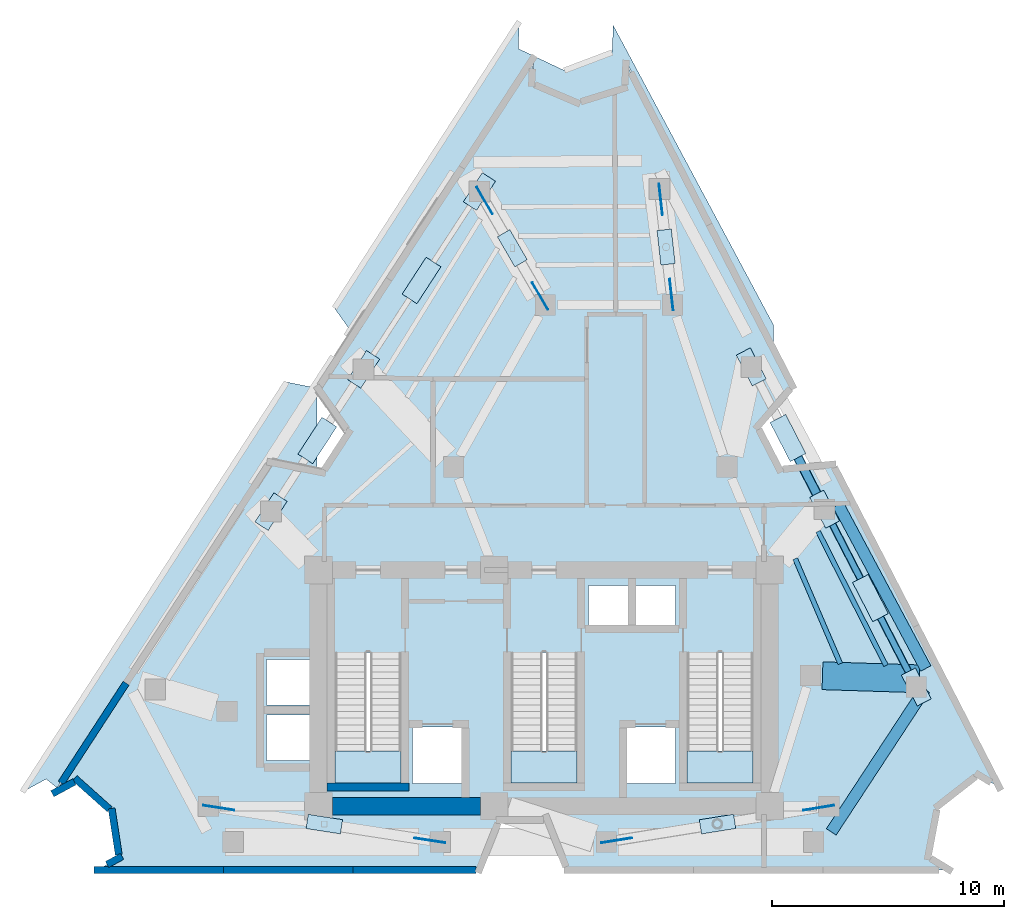
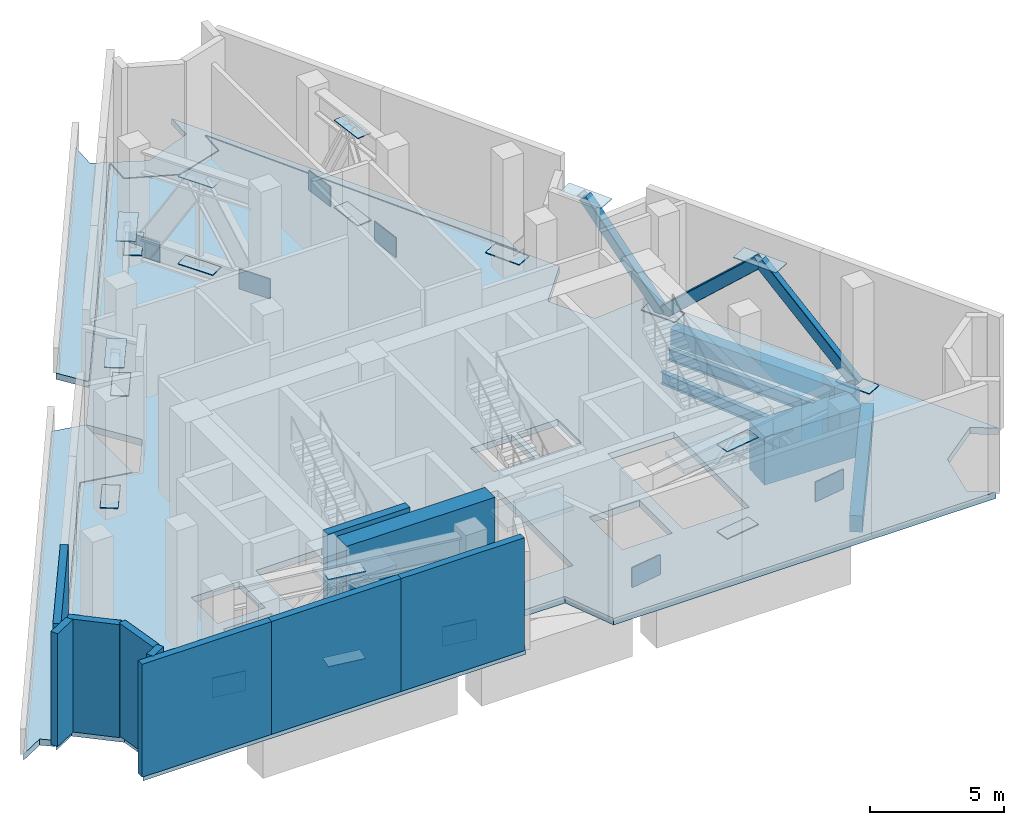
# One storey, part 4 of 8: 26 plates, 10 walls, 6 slabs, 5 beams, 3 members, 3 elements without a shape of their own.
"""IFC4 building model written with IfcOpenShell, lengths in metres."""

import ifcopenshell
import ifcopenshell.guid

model = None  # the IFC model being written
_history = None  # IfcOwnerHistory: only IFC2X3 demands one
_inside = {}  # id of a spatial element -> (the spatial element, [elements in it])
_under = {}  # id of a project, library or spatial element -> (it, [spatial elements below it])
_declared = {}  # id of a project -> (the project, [libraries it declares])
_typed = {}  # id of a type object -> (the type object, [elements of that type])
_made_of = {}  # id of a material, layer set ... -> (it, [elements and type objects made of it])


def new_model(schema):
    """Start an empty IFC model of exactly this schema.

    Asked for "IFC4X3", IfcOpenShell would pick the latest addendum, in which some entities
    have other attributes; the version numbers below select the first issue.
    IFC2X3 requires an IfcOwnerHistory on every rooted entity: one is made here for all.
    """
    global model, _history
    if schema == "IFC4X3":
        model = ifcopenshell.file(schema_version=(4, 3, 0, 0))
    else:
        model = ifcopenshell.file(schema=schema)
    _inside.clear()
    _under.clear()
    _declared.clear()
    _typed.clear()
    _made_of.clear()
    _history = None
    if model.schema == "IFC2X3":
        org = make("IfcOrganization", Name="unknown")
        user = make(
            "IfcPersonAndOrganization",
            ThePerson=make("IfcPerson", FamilyName="unknown"),
            TheOrganization=org,
        )
        app = make(
            "IfcApplication",
            ApplicationDeveloper=org,
            Version="unknown",
            ApplicationFullName="unknown",
            ApplicationIdentifier="unknown",
        )
        _history = make(
            "IfcOwnerHistory",
            OwningUser=user,
            OwningApplication=app,
            ChangeAction="ADDED",
            CreationDate=0,
        )
    return model


def make(cls, **values):
    """One entity of the class cls with the attributes given. An attribute that is None is left unset."""
    return model.create_entity(
        cls, **{name: value for name, value in values.items() if value is not None}
    )


def rooted(cls, **values):
    """An entity with a GlobalId (a new one), such as an element, a storey or a relation."""
    return make(cls, GlobalId=ifcopenshell.guid.new(), OwnerHistory=_history, **values)


def si_unit(unit_type, name, prefix=None):
    """IfcSIUnit, for example si_unit("LENGTHUNIT", "METRE", prefix="MILLI")."""
    return make("IfcSIUnit", UnitType=unit_type, Prefix=prefix, Name=name)


def assignment(units):
    """IfcUnitAssignment: the units of a project."""
    return None if units is None else make("IfcUnitAssignment", Units=units)


def point(xyz):
    """IfcCartesianPoint."""
    return None if xyz is None else make("IfcCartesianPoint", Coordinates=xyz)


def direction(xyz):
    """IfcDirection."""
    return None if xyz is None else make("IfcDirection", DirectionRatios=xyz)


def frame(location, z_axis=None, x_axis=None):
    """IfcAxis2Placement3D, a coordinate frame: its origin and axes. An axis left out is left unset."""
    return make(
        "IfcAxis2Placement3D",
        Location=point(location),
        Axis=direction(z_axis),
        RefDirection=direction(x_axis),
    )


def frame_2d(location, x_axis=None):
    """IfcAxis2Placement2D, a coordinate frame in the plane: its origin and x axis."""
    return make(
        "IfcAxis2Placement2D", Location=point(location), RefDirection=direction(x_axis)
    )


def origin():
    """The frame at (0, 0, 0) with its axes left unset."""
    return frame((0.0, 0.0, 0.0))


def origin_2d():
    """The frame at (0, 0) in the plane with its x axis left unset."""
    return frame_2d((0.0, 0.0))


def place(relative_to, where):
    """IfcLocalPlacement: puts the frame where relative to a parent placement (None: the world)."""
    return make(
        "IfcLocalPlacement", PlacementRelTo=relative_to, RelativePlacement=where
    )


def context(
    kind, dimensions, precision=None, world=None, true_north=None, identifier=None
):
    """IfcGeometricRepresentationContext, for example the 3D "Model" context."""
    return make(
        "IfcGeometricRepresentationContext",
        ContextIdentifier=identifier,
        ContextType=kind,
        CoordinateSpaceDimension=dimensions,
        Precision=precision,
        WorldCoordinateSystem=world,
        TrueNorth=true_north,
    )


def subcontext(parent, identifier, kind, view, scale=None):
    """IfcGeometricRepresentationSubContext, for example "Body" below "Model"."""
    return make(
        "IfcGeometricRepresentationSubContext",
        ContextIdentifier=identifier,
        ContextType=kind,
        ParentContext=parent,
        TargetScale=scale,
        TargetView=view,
    )


def project(units=None, contexts=None):
    """IfcProject with its units and contexts."""
    return rooted(
        "IfcProject",
        Name="project",
        RepresentationContexts=contexts,
        UnitsInContext=assignment(units),
    )


def spatial(cls, under=None, at=None, **own):
    """A site, building, storey or space (cls), placed at a placement, below another one or the project."""
    s = rooted(cls, ObjectPlacement=at, **own)
    if under is not None:
        _under.setdefault(under.id(), (under, []))[1].append(s)
    return s


def polyline(points):
    """IfcPolyline through the points."""
    return make("IfcPolyline", Points=[point(p) for p in points])


def profile(cls, at=None, kind="AREA", **sizes):
    """A parametric profile (cls). Its sizes go by their IFC names, for example OverallWidth=200.0."""
    return make(cls, ProfileType=kind, Position=at, **sizes)


def rectangle(**sizes):
    """IfcRectangleProfileDef."""
    return profile("IfcRectangleProfileDef", **sizes)


def hollow_rectangle(**sizes):
    """IfcRectangleHollowProfileDef."""
    return profile("IfcRectangleHollowProfileDef", **sizes)


def i_section(**sizes):
    """IfcIShapeProfileDef."""
    return profile("IfcIShapeProfileDef", **sizes)


def outline(outer, holes=None, kind="AREA"):
    """IfcArbitraryClosedProfileDef: a profile drawn as a closed curve; with holes, ...WithVoids."""
    if holes is None:
        return make("IfcArbitraryClosedProfileDef", ProfileType=kind, OuterCurve=outer)
    return make(
        "IfcArbitraryProfileDefWithVoids",
        ProfileType=kind,
        OuterCurve=outer,
        InnerCurves=holes,
    )


def extrude(swept, where, along, depth):
    """IfcExtrudedAreaSolid: the profile swept, set in the frame where, extruded along a direction by depth."""
    return make(
        "IfcExtrudedAreaSolid",
        SweptArea=swept,
        Position=where,
        ExtrudedDirection=direction(along),
        Depth=depth,
    )


def shape(context_of_items, identifier, shape_type, items):
    """IfcShapeRepresentation: the items that make up one representation, for example the "Body"."""
    return make(
        "IfcShapeRepresentation",
        ContextOfItems=context_of_items,
        RepresentationIdentifier=identifier,
        RepresentationType=shape_type,
        Items=items,
    )


def material(Name=None, Category=None):
    """IfcMaterial."""
    return make("IfcMaterial", Name=Name, Category=Category)


def layer(
    of_material, thickness, ventilated=None, Name=None, Category=None, Priority=None
):
    """IfcMaterialLayer: one layer of a wall or slab, of a material (None: an air gap)."""
    return make(
        "IfcMaterialLayer",
        Material=of_material,
        LayerThickness=thickness,
        IsVentilated=ventilated,
        Name=Name,
        Category=Category,
        Priority=Priority,
    )


def layer_set(layers, Name=None):
    """IfcMaterialLayerSet."""
    return make("IfcMaterialLayerSet", MaterialLayers=layers, LayerSetName=Name)


def material_profile(
    of_material, cross_section, Name=None, Category=None, Priority=None
):
    """IfcMaterialProfile: a cross section and its material."""
    return make(
        "IfcMaterialProfile",
        Name=Name,
        Material=of_material,
        Profile=cross_section,
        Priority=Priority,
        Category=Category,
    )


def profile_set(profiles, Name=None, composite=None):
    """IfcMaterialProfileSet."""
    return make(
        "IfcMaterialProfileSet",
        Name=Name,
        MaterialProfiles=profiles,
        CompositeProfile=composite,
    )


def made_of(thing, what):
    """Note that an element or type object is made of a material, layer set ...; save() writes the relation."""
    if what is not None:
        _made_of.setdefault(what.id(), (what, []))[1].append(thing)
    return thing


def type_object(cls, material=None, **own):
    """A type object (cls), such as IfcWallType, which elements share."""
    return made_of(rooted(cls, **own), material)


def element(
    cls,
    number,
    at=None,
    inside=None,
    cuts=None,
    type_object=None,
    material=None,
    context=None,
    identifier="Body",
    shape_type=None,
    held_by="IfcProductDefinitionShape",
    body=None,
    shapes=None,
    **own,
):
    """One element of the class cls, such as IfcWall. Its Tag is "e" and its number.

    at: its placement. inside: the storey or other place that contains it. cuts: it is an
    opening in that element (IfcRelVoidsElement). A single representation is given by context,
    identifier, shape_type and body (its items); several are given by shapes. held_by: the class
    of the entity that holds the representations. save() writes the other relations.
    """
    e = rooted(cls, Tag="e%d" % number, ObjectPlacement=at, **own)
    if body is not None:
        shapes = [shape(context, identifier, shape_type, body)]
    if shapes is not None:
        e.Representation = make(held_by, Representations=shapes)
    if inside is not None:
        _inside.setdefault(inside.id(), (inside, []))[1].append(e)
    if cuts is not None:
        rooted(
            "IfcRelVoidsElement", RelatingBuildingElement=cuts, RelatedOpeningElement=e
        )
    if type_object is not None:
        _typed.setdefault(type_object.id(), (type_object, []))[1].append(e)
    return made_of(e, material)


def aggregate(whole, parts):
    """IfcRelAggregates: a whole, such as a stair, and the parts it consists of."""
    return rooted("IfcRelAggregates", RelatingObject=whole, RelatedObjects=parts)


def save(model, path):
    """Write the relations noted so far, then the file.

    IfcRelAggregates (storeys below a building ...), IfcRelContainedInSpatialStructure (elements
    in a storey), IfcRelDefinesByType, IfcRelAssociatesMaterial and IfcRelDeclares: one each for
    every whole, place, type object, material and project.
    """
    for whole, parts in _under.values():
        aggregate(whole, parts)
    for where, things in _inside.values():
        rooted(
            "IfcRelContainedInSpatialStructure",
            RelatedElements=things,
            RelatingStructure=where,
        )
    for kind, things in _typed.values():
        rooted("IfcRelDefinesByType", RelatedObjects=things, RelatingType=kind)
    for what, things in _made_of.values():
        rooted("IfcRelAssociatesMaterial", RelatedObjects=things, RelatingMaterial=what)
    for by, libraries in _declared.values():
        rooted("IfcRelDeclares", RelatingContext=by, RelatedDefinitions=libraries)
    model.write(path)


model = new_model("IFC4")

# Units and contexts
model_context = context("Model", 3, precision=1e-05, world=origin(), true_north=direction((0.0, 1.0)))
body_context = subcontext(model_context, "Body", "Model", "MODEL_VIEW")
ifc_project = project(units=[si_unit("LENGTHUNIT", "METRE"), si_unit("AREAUNIT", "SQUARE_METRE"), si_unit("VOLUMEUNIT", "CUBIC_METRE"), si_unit("PLANEANGLEUNIT", "RADIAN"), si_unit("MASSUNIT", "GRAM", prefix="KILO")], contexts=[model_context])

# Site, building, storey
site_placement = place(None, origin())
site = spatial("IfcSite", under=ifc_project, at=site_placement, CompositionType="ELEMENT")
building_placement = place(site_placement, origin())
building = spatial("IfcBuilding", under=site, at=building_placement, Name="Almagre Mirador Tower", CompositionType="ELEMENT")
storey_placement = place(building_placement, frame((0.0, 0.0, 201.60009765625)))
storey = spatial("IfcBuildingStorey", under=building, at=storey_placement, Name="L52", CompositionType="ELEMENT", Elevation=201.60009765625)

# Beams
ifc_material_1 = material(Name="Steel ASTM A992 Grade 50", Category="steel")
ifc_material_profile_1 = material_profile(ifc_material_1, i_section(OverallWidth=0.208984375, OverallDepth=0.532958984375, WebThickness=0.01025390625, FlangeThickness=0.015625, FilletRadius=0.01806640625, at=origin_2d()), Name="W21X62")
ifc_profile_set_1 = profile_set([ifc_material_profile_1], Name="Steel ASTM A992 Grade 50")
beam_type_1 = type_object("IfcBeamType", Name="BM-JST-W21X62", PredefinedType="JOIST", material=ifc_profile_set_1)
beam_1_placement = place(storey_placement, frame((52.066650390625, 10.623046875, -0.566650390625), z_axis=(-0.451569452898, 0.892235971708, 0.0), x_axis=(-0.892235971708, -0.451569452898, 0.0)))
element("IfcBeam", 1, at=beam_1_placement, inside=storey, type_object=beam_type_1, Name="L52 secondary floor joist PC05-PC06.1", PredefinedType="JOIST", context=body_context, shape_type="SweptSolid", body=[
    extrude(i_section(OverallWidth=0.208984375, OverallDepth=0.532958984375, WebThickness=0.01025390625, FlangeThickness=0.015625, FilletRadius=0.01806640625, at=origin_2d()), origin(), (0.0, 0.0, 1.0), 6.49365234375),
])
beam_2_placement = place(storey_placement, frame((50.09228515625, 10.702880859375, -0.566650390625), z_axis=(-0.39424742234, 0.919004336213, 0.0), x_axis=(-0.919004336213, -0.39424742234, 0.0)))
element("IfcBeam", 2, at=beam_2_placement, inside=storey, type_object=beam_type_1, Name="L52 secondary floor joist PC05-PC06.3", PredefinedType="JOIST", context=body_context, shape_type="SweptSolid", body=[
    extrude(i_section(OverallWidth=0.208984375, OverallDepth=0.532958984375, WebThickness=0.01025390625, FlangeThickness=0.015625, FilletRadius=0.01806640625, at=origin_2d()), origin(), (0.0, 0.0, 1.0), 4.9384765625),
])
ifc_material_2 = material(Name="Precast concrete C50/60", Category="concrete")
ifc_material_profile_2 = material_profile(ifc_material_2, rectangle(XDim=0.5, YDim=0.75, at=origin_2d()), Name="RC500X750")
ifc_profile_set_2 = profile_set([ifc_material_profile_2], Name="Precast concrete C50/60")
beam_type_2 = type_object("IfcBeamType", Name="BM-SPN-RC500X750", PredefinedType="SPANDREL", material=ifc_profile_set_2)
beam_3_placement = place(storey_placement, frame((49.7041015625, 3.43896484375, -0.675048828125), z_axis=(0.548818634592, 0.835941449101, 0.0), x_axis=(-0.835941449101, 0.548818634592, 0.0)))
element("IfcBeam", 3, at=beam_3_placement, inside=storey, type_object=beam_type_2, Name="L52 perimeter spandrel beam PC04-PC05", PredefinedType="SPANDREL", context=body_context, shape_type="SweptSolid", body=[
    extrude(rectangle(XDim=0.5, YDim=0.75, at=origin_2d()), origin(), (0.0, 0.0, 1.0), 7.364501953125),
])
beam_4_placement = place(storey_placement, frame((53.786376953125, 10.496826171875, -0.675048828125), z_axis=(-0.471728183201, 0.881744022477, 0.0), x_axis=(-0.881744022477, -0.471728183201, 0.0)))
element("IfcBeam", 4, at=beam_4_placement, inside=storey, type_object=beam_type_2, Name="L52 perimeter spandrel beam PC05-PC06", PredefinedType="SPANDREL", context=body_context, shape_type="SweptSolid", body=[
    extrude(rectangle(XDim=0.5, YDim=0.75, at=origin_2d()), origin(), (0.0, 0.0, 1.0), 8.02294921875),
])
ifc_material_3 = material(Name="Concrete C60/75", Category="concrete")
ifc_material_profile_3 = material_profile(ifc_material_3, rectangle(XDim=1.199951171875, YDim=2.199951171875, at=origin_2d()), Name="RC1200X2200")
ifc_profile_set_3 = profile_set([ifc_material_profile_3], Name="Concrete C60/75")
beam_type_3 = type_object("IfcBeamType", Name="BM-XFER-RC1200X2200", PredefinedType="BEAM", material=ifc_profile_set_3)
beam_5_placement = place(storey_placement, frame((53.50927734375, 10.050537109375, -1.400146484375), z_axis=(-0.999496710108, 0.031722649376, 0.0), x_axis=(-0.031722649376, -0.999496710108, 0.0)))
element("IfcBeam", 5, at=beam_5_placement, inside=storey, type_object=beam_type_3, Name="L52 radial transfer girder PC05-MC3", PredefinedType="BEAM", context=body_context, shape_type="SweptSolid", body=[
    extrude(rectangle(XDim=1.199951171875, YDim=2.199951171875, at=origin_2d()), origin(), (0.0, 0.0, 1.0), 4.186767578125),
])

# Members
ifc_material_4 = material(Name="Steel ASTM A500 Grade C", Category="steel")
ifc_material_profile_4 = material_profile(ifc_material_4, hollow_rectangle(XDim=0.39990234375, YDim=0.39990234375, WallThickness=0.01611328125, InnerFilletRadius=0.01611328125, OuterFilletRadius=0.031982421875, at=origin_2d()), Name="HSS400X400X16")
ifc_profile_set_4 = profile_set([ifc_material_profile_4], Name="Steel ASTM A500 Grade C")
member_type_1 = type_object("IfcMemberType", Name="MBR-BRC-HSS400", PredefinedType="BRACE", material=ifc_profile_set_4)
member_1_placement = place(storey_placement, frame((49.4169921875, 17.3779296875, 0.64990234375), z_axis=(-0.300576446624, 0.582945966072, 0.754869392925), x_axis=(-0.888806314311, -0.45828303006, 0.0)))
element("IfcMember", 6, at=member_1_placement, inside=storey, type_object=member_type_1, Name="L52 perimeter belt truss brace PC06-apex", PredefinedType="BRACE", context=body_context, shape_type="SweptSolid", body=[
    extrude(hollow_rectangle(XDim=0.39990234375, YDim=0.39990234375, WallThickness=0.01611328125, InnerFilletRadius=0.01611328125, OuterFilletRadius=0.031982421875, at=origin_2d()), origin(), (0.0, 0.0, 1.0), 5.269775390625),
])
ifc_material_5 = material(Name="Steel ASTM A500 Grade C", Category="steel")
ifc_material_profile_5 = material_profile(ifc_material_5, hollow_rectangle(XDim=0.300048828125, YDim=0.5, WallThickness=0.01611328125, InnerFilletRadius=0.01611328125, OuterFilletRadius=0.031982421875, at=origin_2d()), Name="HSS500X300X16")
ifc_profile_set_5 = profile_set([ifc_material_profile_5], Name="Steel ASTM A500 Grade C")
member_type_2 = type_object("IfcMemberType", Name="MBR-BRC-HSS500", PredefinedType="BRACE", material=ifc_profile_set_5)
member_2_placement = place(storey_placement, frame((53.376953125, 9.697998046875, 0.64990234375), z_axis=(-0.337136776041, 0.653862435307, 0.677349769273), x_axis=(-0.888809281275, -0.458277275805, 0.0)))
element("IfcMember", 7, at=member_2_placement, inside=storey, type_object=member_type_2, Name="L52 perimeter belt truss brace PC05-apex", PredefinedType="BRACE", context=body_context, shape_type="SweptSolid", body=[
    extrude(hollow_rectangle(XDim=0.300048828125, YDim=0.5, WallThickness=0.01611328125, InnerFilletRadius=0.01611328125, OuterFilletRadius=0.031982421875, at=origin_2d()), origin(), (0.0, 0.0, 1.0), 5.873046875),
])
member_3_placement = place(storey_placement, frame((49.4169921875, 17.3779296875, 0.64990234375), z_axis=(0.337145939969, -0.653838636725, 0.677368180747), x_axis=(0.888797412748, 0.458300293577, 0.0)))
element("IfcMember", 8, at=member_3_placement, inside=storey, type_object=member_type_2, Name="L52 perimeter belt truss brace PC06-apex", PredefinedType="BRACE", context=body_context, shape_type="SweptSolid", body=[
    extrude(hollow_rectangle(XDim=0.300048828125, YDim=0.5, WallThickness=0.01611328125, InnerFilletRadius=0.01611328125, OuterFilletRadius=0.031982421875, at=origin_2d()), origin(), (0.0, 0.0, 1.0), 5.872802734375),
])

# Plates
ifc_material_6 = material(Name="Steel ASTM A572 Grade 50", Category="steel")
ifc_layer_1 = layer(ifc_material_6, 0.035888671875)
ifc_layer_set_1 = layer_set([ifc_layer_1], Name="Steel ASTM A572 Grade 50")
plate_type_1 = type_object("IfcPlateType", Name="PLT-GUS-1350X900X36", PredefinedType="USERDEFINED", material=ifc_layer_set_1)
plate_1_placement = place(storey_placement, frame((32.371337890625, 3.06884765625, 0.199951171875), z_axis=(0.0, 0.0, 1.0), x_axis=(-0.988236390412, 0.152934092557, 0.0)))
element("IfcPlate", 9, at=plate_1_placement, inside=storey, type_object=plate_type_1, Name="L52 outrigger node gusset plate GP-3.1.1", ObjectType="GUSSET_PLATE", PredefinedType="USERDEFINED", context=body_context, shape_type="SweptSolid", body=[
    extrude(rectangle(XDim=1.35009765625, YDim=0.035888671875, at=origin_2d()), origin(), (0.0, 0.0, 1.0), 0.89990234375),
])
for number, where, z_axis, x_axis, name in (
    (10, (27.80810546875, 3.77490234375, 0.6318359375), (0.0, 0.0, 1.0), (-0.988236390412, 0.152934092557, 0.0), "L52 outrigger bottom node gusset GP-B3.1.1"),
    (11, (27.80810546875, 3.77490234375, 4.60986328125), (0.0, 0.0, 1.0), (-0.988236390412, 0.152934092557, 0.0), "L52 outrigger top node gusset GP-T3.1.1"),
):
    element("IfcPlate", number, at=place(storey_placement, frame(where, z_axis=z_axis, x_axis=x_axis)), inside=storey, type_object=plate_type_1, Name=name, ObjectType="GUSSET_PLATE", PredefinedType="USERDEFINED", context=body_context, shape_type="SweptSolid", body=[
        extrude(rectangle(XDim=1.5, YDim=0.6201171875, at=origin_2d()), origin(), (0.0, 0.0, 1.0), 0.035888671875),
    ])
for number, where, z_axis, x_axis, name in (
    (12, (23.24462890625, 4.481201171875, 0.199951171875), (0.0, 0.0, 1.0), (-0.988236390412, 0.152934092557, 0.0), "L52 outrigger core embed gusset plate GP-3.1.E"),
    (13, (40.42822265625, 3.071533203125, 0.199951171875), (0.0, 0.0, 1.0), (0.987255976551, 0.159140305282, 0.0), "L52 outrigger node gusset plate GP-3.2.1"),
):
    element("IfcPlate", number, at=place(storey_placement, frame(where, z_axis=z_axis, x_axis=x_axis)), inside=storey, type_object=plate_type_1, Name=name, ObjectType="GUSSET_PLATE", PredefinedType="USERDEFINED", context=body_context, shape_type="SweptSolid", body=[
        extrude(rectangle(XDim=1.35009765625, YDim=0.035888671875, at=origin_2d()), origin(), (0.0, 0.0, 1.0), 0.89990234375),
    ])
for number, where, z_axis, x_axis, name in (
    (14, (44.7919921875, 3.77490234375, 0.6318359375), (0.0, 0.0, 1.0), (0.987255976551, 0.159140305282, 0.0), "L52 outrigger bottom node gusset GP-B3.2.1"),
    (15, (44.7919921875, 3.77490234375, 4.60986328125), (0.0, 0.0, 1.0), (0.987255976551, 0.159140305282, 0.0), "L52 outrigger top node gusset GP-T3.2.1"),
):
    element("IfcPlate", number, at=place(storey_placement, frame(where, z_axis=z_axis, x_axis=x_axis)), inside=storey, type_object=plate_type_1, Name=name, ObjectType="GUSSET_PLATE", PredefinedType="USERDEFINED", context=body_context, shape_type="SweptSolid", body=[
        extrude(rectangle(XDim=1.5, YDim=0.6201171875, at=origin_2d()), origin(), (0.0, 0.0, 1.0), 0.035888671875),
    ])
for number, where, z_axis, x_axis, name in (
    (16, (49.15576171875, 4.478515625, 0.199951171875), (0.0, 0.0, 1.0), (0.987255976551, 0.159140305282, 0.0), "L52 outrigger core embed gusset plate GP-3.2.E"),
    (17, (42.339111328125, 30.7548828125, 0.199951171875), (0.0, 0.0, 1.0), (0.111434243094, -0.993771809555, 0.0), "L52 outrigger node gusset plate GP-3.3.1"),
):
    element("IfcPlate", number, at=place(storey_placement, frame(where, z_axis=z_axis, x_axis=x_axis)), inside=storey, type_object=plate_type_1, Name=name, ObjectType="GUSSET_PLATE", PredefinedType="USERDEFINED", context=body_context, shape_type="SweptSolid", body=[
        extrude(rectangle(XDim=1.35009765625, YDim=0.035888671875, at=origin_2d()), origin(), (0.0, 0.0, 1.0), 0.89990234375),
    ])
for number, where, z_axis, x_axis, name in (
    (18, (42.569580078125, 28.700927734375, 0.6318359375), (0.0, 0.0, 1.0), (0.111434243094, -0.993771809555, 0.0), "L52 outrigger bottom node gusset GP-B3.3.1"),
    (19, (42.569580078125, 28.700927734375, 4.60986328125), (0.0, 0.0, 1.0), (0.111434243094, -0.993771809555, 0.0), "L52 outrigger top node gusset GP-T3.3.1"),
):
    element("IfcPlate", number, at=place(storey_placement, frame(where, z_axis=z_axis, x_axis=x_axis)), inside=storey, type_object=plate_type_1, Name=name, ObjectType="GUSSET_PLATE", PredefinedType="USERDEFINED", context=body_context, shape_type="SweptSolid", body=[
        extrude(rectangle(XDim=1.5, YDim=0.6201171875, at=origin_2d()), origin(), (0.0, 0.0, 1.0), 0.035888671875),
    ])
for number, where, z_axis, x_axis, name in (
    (20, (42.7998046875, 26.647216796875, 0.199951171875), (0.0, 0.0, 1.0), (0.111434243094, -0.993771809555, 0.0), "L52 outrigger core embed gusset plate GP-3.3.E"),
    (21, (34.73193359375, 30.7080078125, 0.199951171875), (0.0, 0.0, 1.0), (0.502205163533, -0.864748503162, 0.0), "L52 outrigger node gusset plate GP-3.4.1"),
):
    element("IfcPlate", number, at=place(storey_placement, frame(where, z_axis=z_axis, x_axis=x_axis)), inside=storey, type_object=plate_type_1, Name=name, ObjectType="GUSSET_PLATE", PredefinedType="USERDEFINED", context=body_context, shape_type="SweptSolid", body=[
        extrude(rectangle(XDim=1.35009765625, YDim=0.035888671875, at=origin_2d()), origin(), (0.0, 0.0, 1.0), 0.89990234375),
    ])
for number, where, z_axis, x_axis, name in (
    (22, (35.927978515625, 28.6484375, 0.6318359375), (0.0, 0.0, 1.0), (0.502205163533, -0.864748503162, 0.0), "L52 outrigger bottom node gusset GP-B3.4.1"),
    (23, (35.927978515625, 28.6484375, 4.60986328125), (0.0, 0.0, 1.0), (0.502205163533, -0.864748503162, 0.0), "L52 outrigger top node gusset GP-T3.4.1"),
):
    element("IfcPlate", number, at=place(storey_placement, frame(where, z_axis=z_axis, x_axis=x_axis)), inside=storey, type_object=plate_type_1, Name=name, ObjectType="GUSSET_PLATE", PredefinedType="USERDEFINED", context=body_context, shape_type="SweptSolid", body=[
        extrude(rectangle(XDim=1.5, YDim=0.6201171875, at=origin_2d()), origin(), (0.0, 0.0, 1.0), 0.035888671875),
    ])
plate_2_placement = place(storey_placement, frame((37.1240234375, 26.589111328125, 0.199951171875), z_axis=(0.0, 0.0, 1.0), x_axis=(0.502205163533, -0.864748503162, 0.0)))
element("IfcPlate", 24, at=plate_2_placement, inside=storey, type_object=plate_type_1, Name="L52 outrigger core embed gusset plate GP-3.4.E", ObjectType="GUSSET_PLATE", PredefinedType="USERDEFINED", context=body_context, shape_type="SweptSolid", body=[
    extrude(rectangle(XDim=1.35009765625, YDim=0.035888671875, at=origin_2d()), origin(), (0.0, 0.0, 1.0), 0.89990234375),
])
for number, where, z_axis, x_axis, name in (
    (25, (53.376953125, 9.697998046875, 0.6318359375), (0.0, 0.0, 1.0), (-0.45829280372, 0.888801274784, 0.0), "L52 belt truss base gusset GP-BT-PC05"),
    (26, (49.4169921875, 17.3779296875, 0.6318359375), (0.0, 0.0, 1.0), (-0.45829280372, 0.888801274784, 0.0), "L52 belt truss base gusset GP-BT-PC06"),
    (27, (46.2490234375, 23.52197265625, 0.6318359375), (0.0, 0.0, 1.0), (-0.45829280372, 0.888801274784, 0.0), "L52 belt truss base gusset GP-BT-PC07"),
    (28, (34.506103515625, 31.096923828125, 0.6318359375), (0.0, 0.0, 1.0), (-0.545604752598, -0.838042632532, 0.0), "L52 belt truss base gusset GP-BT-PC09"),
    (29, (29.506103515625, 23.4169921875, 0.6318359375), (0.0, 0.0, 1.0), (-0.545604752598, -0.838042632532, 0.0), "L52 belt truss base gusset GP-BT-PC10"),
    (30, (25.506103515625, 17.27294921875, 0.6318359375), (0.0, 0.0, 1.0), (-0.545604752598, -0.838042632532, 0.0), "L52 belt truss base gusset GP-BT-PC11"),
):
    element("IfcPlate", number, at=place(storey_placement, frame(where, z_axis=z_axis, x_axis=x_axis)), inside=storey, type_object=plate_type_1, Name=name, ObjectType="GUSSET_PLATE", PredefinedType="USERDEFINED", context=body_context, shape_type="SweptSolid", body=[
        extrude(rectangle(XDim=1.5, YDim=0.679931640625, at=origin_2d()), origin(), (0.0, 0.0, 1.0), 0.035888671875),
    ])
ifc_material_7 = material(Name="Steel ASTM A572 Grade 50", Category="steel")
ifc_layer_2 = layer(ifc_material_7, 0.0400390625)
ifc_layer_set_2 = layer_set([ifc_layer_2], Name="Steel ASTM A572 Grade 50")
plate_type_2 = type_object("IfcPlateType", Name="PLT-GUS-1600X1050X40", PredefinedType="USERDEFINED", material=ifc_layer_set_2)
for number, where, z_axis, x_axis, name in (
    (31, (51.39697265625, 13.5380859375, 4.60791015625), (0.0, 0.0, 1.0), (-0.45829280372, 0.888801274784, 0.0), "L52 belt truss apex node gusset GP-BT-1"),
    (32, (47.8330078125, 20.449951171875, 4.60791015625), (0.0, 0.0, 1.0), (-0.45829280372, 0.888801274784, 0.0), "L52 belt truss apex node gusset GP-BT-2"),
    (33, (32.006103515625, 27.257080078125, 4.60791015625), (0.0, 0.0, 1.0), (-0.545604752598, -0.838042632532, 0.0), "L52 belt truss apex node gusset GP-BT-3"),
    (34, (27.506103515625, 20.344970703125, 4.60791015625), (0.0, 0.0, 1.0), (-0.545604752598, -0.838042632532, 0.0), "L52 belt truss apex node gusset GP-BT-4"),
):
    element("IfcPlate", number, at=place(storey_placement, frame(where, z_axis=z_axis, x_axis=x_axis)), inside=storey, type_object=plate_type_2, Name=name, ObjectType="GUSSET_PLATE", PredefinedType="USERDEFINED", context=body_context, shape_type="SweptSolid", body=[
        extrude(rectangle(XDim=1.89990234375, YDim=0.760009765625, at=origin_2d()), origin(), (0.0, 0.0, 1.0), 0.0400390625),
    ])

# Slab
ifc_material_8 = material(Name="Concrete C45/55", Category="concrete")
ifc_layer_3 = layer(ifc_material_8, 0.300048828125)
ifc_layer_set_3 = layer_set([ifc_layer_3], Name="Concrete C45/55")
slab_type_1 = type_object("IfcSlabType", Name="SLB-FLR-300", PredefinedType="FLOOR", material=ifc_layer_set_3)
slab_1_placement = place(storey_placement, frame((0.0, 0.0, -0.300048828125)))
element("IfcSlab", 35, at=slab_1_placement, inside=storey, type_object=slab_type_1, Name="L52 structural floor slab", PredefinedType="FLOOR", context=body_context, shape_type="SweptSolid", body=[
    extrude(outline(polyline([(16.181884765625, 5.152099609375), (17.132080078125, 5.6669921875), (18.64208984375, 4.31689453125), (18.948974609375, 2.31494140625), (18.0, 1.800048828125), (34.5, 1.800048828125), (35.35498046875, 3.949951171875), (37.445068359375, 3.949951171875), (38.300048828125, 1.800048828125), (54.800048828125, 1.800048828125), (53.8779296875, 2.362060546875), (54.291015625, 4.548095703125), (56.044921875, 5.9169921875), (56.967041015625, 5.35498046875), (49.77099609375, 19.31103515625), (47.468017578125, 19.0859375), (46.510009765625, 20.943115234375), (48.029052734375, 22.68896484375), (40.8330078125, 36.64501953125), (40.779052734375, 35.56591796875), (38.73291015625, 34.927001953125), (36.762939453125, 35.76904296875), (36.818115234375, 36.847900390625), (27.537109375, 22.592041015625), (28.8720703125, 20.702880859375), (27.73193359375, 18.950927734375), (25.462890625, 19.407958984375), (16.181884765625, 5.152099609375)]), holes=[polyline([(43.47509765625, 5.550048828125), (43.47509765625, 11.196044921875), (46.324951171875, 11.196044921875), (46.324951171875, 5.550048828125), (43.47509765625, 5.550048828125)]), polyline([(41.219970703125, 12.320068359375), (41.219970703125, 14.080078125), (42.97998046875, 14.080078125), (42.97998046875, 12.320068359375), (41.219970703125, 12.320068359375)]), polyline([(42.97998046875, 5.52001953125), (40.820068359375, 5.52001953125), (40.820068359375, 7.97998046875), (42.97998046875, 7.97998046875), (42.97998046875, 5.52001953125)]), polyline([(39.219970703125, 12.320068359375), (39.219970703125, 14.080078125), (40.97998046875, 14.080078125), (40.97998046875, 12.320068359375), (39.219970703125, 12.320068359375)]), polyline([(35.875, 5.550048828125), (35.875, 11.196044921875), (38.72509765625, 11.196044921875), (38.72509765625, 5.550048828125), (35.875, 5.550048828125)]), polyline([(33.780029296875, 5.52001953125), (31.6201171875, 5.52001953125), (31.6201171875, 7.97998046875), (33.780029296875, 7.97998046875), (33.780029296875, 5.52001953125)]), polyline([(28.27490234375, 5.550048828125), (28.27490234375, 11.196044921875), (31.125, 11.196044921875), (31.125, 5.550048828125), (28.27490234375, 5.550048828125)]), polyline([(27.3798828125, 6.52001953125), (25.320068359375, 6.52001953125), (25.320068359375, 8.47998046875), (27.3798828125, 8.47998046875), (27.3798828125, 6.52001953125)]), polyline([(27.3798828125, 8.919921875), (25.320068359375, 8.919921875), (25.320068359375, 10.8798828125), (27.3798828125, 10.8798828125), (27.3798828125, 8.919921875)])]), origin(), (0.0, 0.0, 1.0), 0.300048828125),
])

# Stair, slab
ifc_material_9 = material(Name="Concrete C45/55", Category="concrete")
stair_type = type_object("IfcStairType", Name="STR-DL-5400", PredefinedType="HALF_TURN_STAIR", material=ifc_material_9)
stair_1_placement = place(storey_placement, origin())
stair_1 = element("IfcStair", 36, at=stair_1_placement, inside=storey, type_object=stair_type, Name="L52 Protected exit stair ST-1", PredefinedType="HALF_TURN_STAIR")
ifc_material_10 = material(Name="Concrete C45/55", Category="concrete")
ifc_layer_4 = layer(ifc_material_10, 0.199951171875)
ifc_layer_set_4 = layer_set([ifc_layer_4], Name="Concrete C45/55")
slab_type_2 = type_object("IfcSlabType", Name="SLB-LND-200", PredefinedType="LANDING", material=ifc_layer_set_4)
slab_2_placement = place(storey_placement, frame((0.0, 0.0, 2.5)))
slab_2 = element("IfcSlab", 37, at=slab_2_placement, type_object=slab_type_2, Name="ST-1 landing 1", PredefinedType="LANDING", context=body_context, shape_type="SweptSolid", body=[
    extrude(outline(polyline([(28.27490234375, 6.925048828125), (28.27490234375, 5.550048828125), (31.125, 5.550048828125), (31.125, 6.925048828125), (28.27490234375, 6.925048828125)])), origin(), (0.0, 0.0, 1.0), 0.199951171875),
])
aggregate(stair_1, [slab_2])

stair_2_placement = place(storey_placement, origin())
stair_2 = element("IfcStair", 38, at=stair_2_placement, inside=storey, type_object=stair_type, Name="L52 Protected exit stair ST-2", PredefinedType="HALF_TURN_STAIR")
slab_3_placement = place(storey_placement, frame((0.0, 0.0, 2.5)))
slab_3 = element("IfcSlab", 39, at=slab_3_placement, type_object=slab_type_2, Name="ST-2 landing 1", PredefinedType="LANDING", context=body_context, shape_type="SweptSolid", body=[
    extrude(outline(polyline([(35.875, 6.925048828125), (35.875, 5.550048828125), (38.72509765625, 5.550048828125), (38.72509765625, 6.925048828125), (35.875, 6.925048828125)])), origin(), (0.0, 0.0, 1.0), 0.199951171875),
])
aggregate(stair_2, [slab_3])

stair_3_placement = place(storey_placement, origin())
stair_3 = element("IfcStair", 40, at=stair_3_placement, inside=storey, type_object=stair_type, Name="L52 Protected exit stair ST-3", PredefinedType="HALF_TURN_STAIR")
slab_4_placement = place(storey_placement, frame((0.0, 0.0, 2.5)))
slab_4 = element("IfcSlab", 41, at=slab_4_placement, type_object=slab_type_2, Name="ST-3 landing 1", PredefinedType="LANDING", context=body_context, shape_type="SweptSolid", body=[
    extrude(outline(polyline([(43.47509765625, 6.925048828125), (43.47509765625, 5.550048828125), (46.324951171875, 5.550048828125), (46.324951171875, 6.925048828125), (43.47509765625, 6.925048828125)])), origin(), (0.0, 0.0, 1.0), 0.199951171875),
])
aggregate(stair_3, [slab_4])

# Slabs
ifc_material_11 = material(Name="Concrete C45/55", Category="concrete")
ifc_layer_5 = layer(ifc_material_11, 0.280029296875)
ifc_layer_set_5 = layer_set([ifc_layer_5], Name="Concrete C45/55")
slab_type_3 = type_object("IfcSlabType", Name="SLB-TER-280", PredefinedType="ROOF", material=ifc_layer_set_5)
slab_5_placement = place(storey_placement, frame((0.0, 0.0, -0.280029296875)))
element("IfcSlab", 42, at=slab_5_placement, inside=storey, type_object=slab_type_3, Name="L52 step-back sky terrace roof slab 1", PredefinedType="ROOF", context=body_context, shape_type="SweptSolid", body=[
    extrude(outline(polyline([(28.2470703125, 26.05908203125), (29.03076171875, 24.959716796875), (36.784423828125, 36.869873046875), (36.78662109375, 36.873046875), (36.789306640625, 36.8759765625), (36.7919921875, 36.87841796875), (36.795166015625, 36.880859375), (36.798583984375, 36.8828125), (36.802001953125, 36.884521484375), (36.8056640625, 36.885986328125), (36.809326171875, 36.886962890625), (36.81298828125, 36.8876953125), (36.81689453125, 36.887939453125), (36.82080078125, 36.887939453125), (36.82470703125, 36.887451171875), (36.82861328125, 36.88671875), (36.832275390625, 36.885498046875), (36.835693359375, 36.8837890625), (36.839111328125, 36.882080078125), (36.84228515625, 36.8798828125), (36.84521484375, 36.877197265625), (36.847900390625, 36.87451171875), (36.850341796875, 36.87158203125), (36.8525390625, 36.8681640625), (36.854248046875, 36.86474609375), (36.855712890625, 36.861083984375), (36.85693359375, 36.857421875), (36.857666015625, 36.853759765625), (36.85791015625, 36.849853515625), (36.85791015625, 36.845947265625), (36.804443359375, 35.794921875), (38.735107421875, 34.969482421875), (40.740478515625, 35.595947265625), (40.79296875, 36.64697265625), (40.79345703125, 36.65087890625), (40.794189453125, 36.65478515625), (40.79541015625, 36.658447265625), (40.796875, 36.661865234375), (40.798583984375, 36.665283203125), (40.80078125, 36.668701171875), (40.802978515625, 36.671630859375), (40.805908203125, 36.67431640625), (40.808837890625, 36.677001953125), (40.81201171875, 36.67919921875), (40.8154296875, 36.680908203125), (40.819091796875, 36.6826171875), (40.82275390625, 36.68359375), (40.826416015625, 36.6845703125), (40.830322265625, 36.684814453125), (40.834228515625, 36.68505859375), (40.837890625, 36.684814453125), (40.841796875, 36.68408203125), (40.845703125, 36.68310546875), (40.84912109375, 36.681640625), (40.8525390625, 36.6796875), (40.85595703125, 36.677734375), (40.85888671875, 36.67529296875), (40.86181640625, 36.672607421875), (40.864501953125, 36.669921875), (40.86669921875, 36.666748046875), (40.86865234375, 36.663330078125), (47.199951171875, 24.384033203125), (47.199951171875, 25.35205078125), (40.287109375, 38.27294921875), (40.239013671875, 37.10400390625), (38.176025390625, 36.324951171875), (36.18408203125, 37.27001953125), (36.23193359375, 38.43896484375), (28.2470703125, 26.05908203125)])), origin(), (0.0, 0.0, 1.0), 0.280029296875),
])
slab_6_placement = place(storey_placement, frame((0.0, 0.0, -0.280029296875)))
element("IfcSlab", 43, at=slab_6_placement, inside=storey, type_object=slab_type_3, Name="L52 step-back sky terrace roof slab 2", PredefinedType="ROOF", context=body_context, shape_type="SweptSolid", body=[
    extrude(outline(polyline([(15.794921875, 5.720947265625), (16.260986328125, 5.3466796875), (25.429443359375, 19.4296875), (25.431884765625, 19.43310546875), (25.434326171875, 19.43603515625), (25.4375, 19.438720703125), (25.4404296875, 19.441162109375), (25.44384765625, 19.443115234375), (25.447509765625, 19.44482421875), (25.451416015625, 19.4462890625), (25.455078125, 19.447265625), (25.458984375, 19.44775390625), (25.462890625, 19.447998046875), (25.467041015625, 19.44775390625), (25.470947265625, 19.447265625), (27.5, 19.03857421875), (27.5, 22.576904296875), (27.4990234375, 22.57958984375), (27.497802734375, 22.58349609375), (27.497314453125, 22.58740234375), (27.4970703125, 22.59130859375), (27.4970703125, 22.59521484375), (27.49755859375, 22.59912109375), (27.49853515625, 22.60302734375), (27.499755859375, 22.606689453125), (27.5, 22.60693359375), (26.18701171875, 22.864990234375), (14.76806640625, 5.160888671875), (15.794921875, 5.720947265625)])), origin(), (0.0, 0.0, 1.0), 0.280029296875),
])

# Walls
ifc_material_12 = material(Name="Precast concrete C50/60", Category="concrete")
ifc_layer_6 = layer(ifc_material_12, 0.300048828125)
ifc_layer_set_6 = layer_set([ifc_layer_6], Name="Precast concrete C50/60")
wall_type_1 = type_object("IfcWallType", Name="WAL-EXT-300", PredefinedType="SOLIDWALL", material=ifc_layer_set_6)
wall_1_placement = place(storey_placement, frame((34.360107421875, 1.800048828125, 0.0), z_axis=(0.0, 0.0, 1.0), x_axis=(-1.0, 0.0, 0.0)))
element("IfcWall", 44, at=wall_1_placement, inside=storey, type_object=wall_type_1, Name="L52 expressed almagre precast frame wall 28", PredefinedType="SOLIDWALL", context=body_context, shape_type="SweptSolid", body=[
    extrude(rectangle(XDim=5.3134765625, YDim=0.300048828125, at=frame_2d((2.65673828125, 0.0))), origin(), (0.0, 0.0, 1.0), 5.14990234375),
])
for number, where, z_axis, x_axis, name in (
    (45, (29.046630859375, 1.800048828125, 0.0), (0.0, 0.0, 1.0), (-1.0, 0.0, 0.0), "L52 expressed almagre precast frame wall 29"),
    (46, (23.453369140625, 1.800048828125, 0.0), (0.0, 0.0, 1.0), (-1.0, 0.0, 0.0), "L52 expressed almagre precast frame wall 30"),
):
    element("IfcWall", number, at=place(storey_placement, frame(where, z_axis=z_axis, x_axis=x_axis)), inside=storey, type_object=wall_type_1, Name=name, PredefinedType="SOLIDWALL", context=body_context, shape_type="SweptSolid", body=[
        extrude(rectangle(XDim=5.59326171875, YDim=0.300048828125, at=frame_2d((2.796630859375, 0.0))), origin(), (0.0, 0.0, 1.0), 5.14990234375),
    ])
wall_2_placement = place(storey_placement, frame((18.42626953125, 2.03125, 0.0), z_axis=(0.0, 0.0, 1.0), x_axis=(0.878833528688, 0.47712852446, 0.0)))
element("IfcWall", 47, at=wall_2_placement, inside=storey, type_object=wall_type_1, Name="L52 expressed almagre precast frame wall 31", PredefinedType="SOLIDWALL", context=body_context, shape_type="SweptSolid", body=[
    extrude(rectangle(XDim=0.73486328125, YDim=0.300048828125, at=frame_2d((0.367431640625, 0.0))), origin(), (0.0, 0.0, 1.0), 5.14990234375),
])
wall_3_placement = place(storey_placement, frame((18.928466796875, 2.448486328125, 0.0), z_axis=(0.0, 0.0, 1.0), x_axis=(-0.151514993769, 0.98845495935, 0.0)))
element("IfcWall", 48, at=wall_3_placement, inside=storey, type_object=wall_type_1, Name="L52 expressed almagre precast frame wall 32", PredefinedType="SOLIDWALL", context=body_context, shape_type="SweptSolid", body=[
    extrude(rectangle(XDim=2.0302734375, YDim=0.300048828125, at=frame_2d((1.01513671875, 0.0))), origin(), (0.0, 0.0, 1.0), 5.14990234375),
])
wall_4_placement = place(storey_placement, frame((18.5302734375, 4.4169921875, 0.0), z_axis=(0.0, 0.0, 1.0), x_axis=(-0.745548529149, 0.666451341572, 0.0)))
element("IfcWall", 49, at=wall_4_placement, inside=storey, type_object=wall_type_1, Name="L52 expressed almagre precast frame wall 33", PredefinedType="SOLIDWALL", context=body_context, shape_type="SweptSolid", body=[
    extrude(rectangle(XDim=2.015625, YDim=0.300048828125, at=frame_2d((1.0078125, 0.0))), origin(), (0.0, 0.0, 1.0), 5.14990234375),
])
wall_5_placement = place(storey_placement, frame((17.01318359375, 5.602783203125, 0.0), z_axis=(0.0, 0.0, 1.0), x_axis=(-0.879044634191, -0.476739479275, 0.0)))
element("IfcWall", 50, at=wall_5_placement, inside=storey, type_object=wall_type_1, Name="L52 expressed almagre precast frame wall 34", PredefinedType="SOLIDWALL", context=body_context, shape_type="SweptSolid", body=[
    extrude(rectangle(XDim=1.085693359375, YDim=0.300048828125, at=frame_2d((0.54296875, 0.0))), origin(), (0.0, 0.0, 1.0), 5.14990234375),
])
wall_6_placement = place(storey_placement, frame((16.441162109375, 5.550048828125, 0.0), z_axis=(0.0, 0.0, 1.0), x_axis=(0.545584888798, 0.838055564455, 0.0)))
element("IfcWall", 51, at=wall_6_placement, inside=storey, type_object=wall_type_1, Name="L52 expressed almagre precast frame wall 35", PredefinedType="SOLIDWALL", context=body_context, shape_type="SweptSolid", body=[
    extrude(rectangle(XDim=5.148681640625, YDim=0.300048828125, at=frame_2d((2.57421875, 0.0))), origin(), (0.0, 0.0, 1.0), 5.14990234375),
])
ifc_material_13 = material(Name="Concrete C60/75", Category="concrete")
ifc_layer_7 = layer(ifc_material_13, 0.35009765625)
ifc_layer_set_7 = layer_set([ifc_layer_7], Name="Concrete C60/75")
wall_type_2 = type_object("IfcWallType", Name="WAL-SHF-350", PredefinedType="SOLIDWALL", material=ifc_layer_set_7)
wall_7_placement = place(storey_placement, frame((27.925048828125, 5.375, 0.0), z_axis=(0.0, 0.0, 1.0), x_axis=(1.0, 0.0, 0.0)))
element("IfcWall", 52, at=wall_7_placement, inside=storey, type_object=wall_type_2, Name="L52 shaft wall ST1-S", PredefinedType="SOLIDWALL", context=body_context, shape_type="SweptSolid", body=[
    extrude(rectangle(XDim=3.550048828125, YDim=0.35009765625, at=frame_2d((1.77490234375, 0.0))), origin(), (0.0, 0.0, 1.0), 5.39990234375),
])
ifc_material_14 = material(Name="Concrete C60/75", Category="concrete")
ifc_layer_8 = layer(ifc_material_14, 0.75)
ifc_layer_set_8 = layer_set([ifc_layer_8], Name="Concrete C60/75")
wall_type_3 = type_object("IfcWallType", Name="WAL-SHR-750", PredefinedType="SHEAR", material=ifc_layer_set_8)
wall_8_placement = place(storey_placement, frame((28.14990234375, 4.550048828125, 0.0), z_axis=(0.0, 0.0, 1.0), x_axis=(1.0, 0.0, 0.0)))
element("IfcWall", 53, at=wall_8_placement, inside=storey, type_object=wall_type_3, Name="L52 core shear wall S1", PredefinedType="SHEAR", context=body_context, shape_type="SweptSolid", body=[
    extrude(rectangle(XDim=6.400146484375, YDim=0.75, at=frame_2d((3.2001953125, 0.0))), origin(), (0.0, 0.0, 1.0), 5.39990234375),
])

save(model, "model.ifc")
